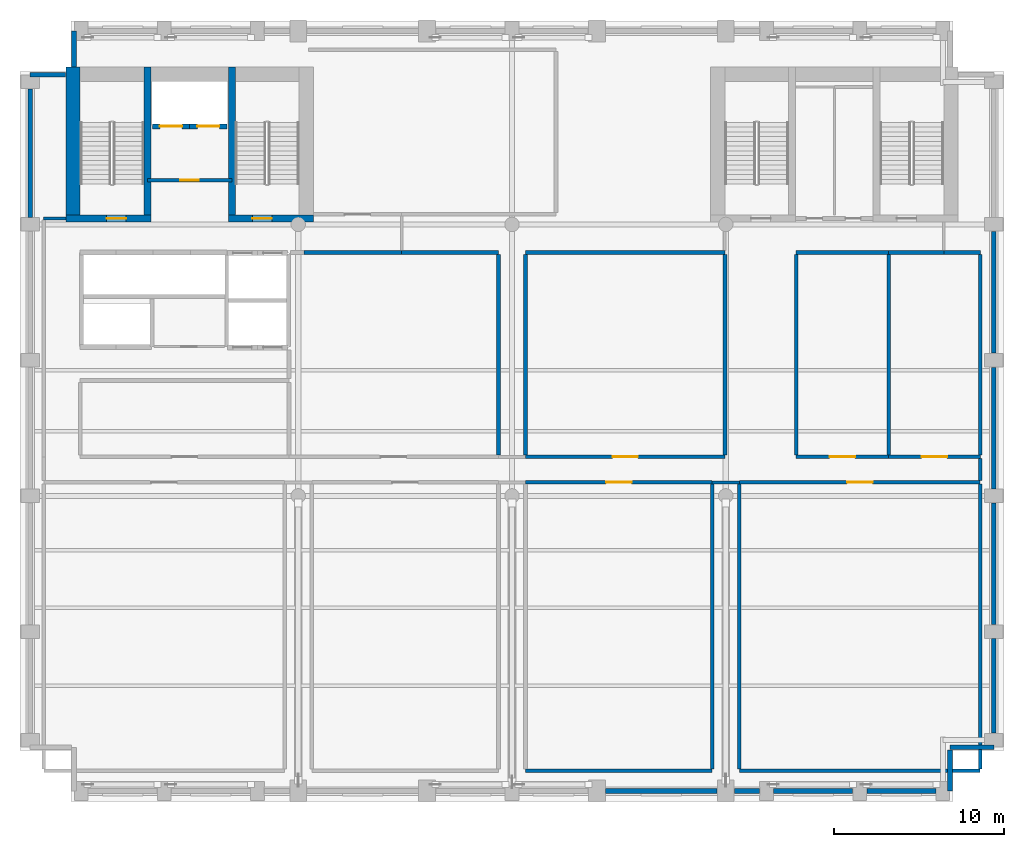
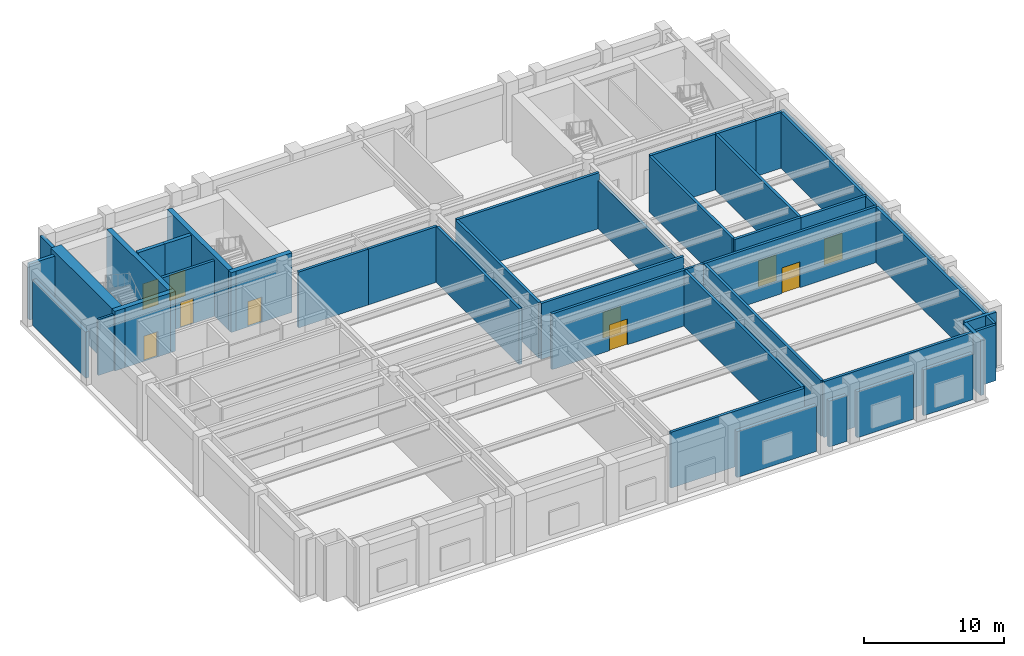
# One storey, part 6 of 11: 46 walls, 10 doors, 10 openings.
"""IFC4 building model written with IfcOpenShell, lengths in metres."""

from ifc_helpers import new_model, si_unit, direction, frame, frame_2d, origin, place, context, subcontext, project, spatial, rectangle, extrude, material, layer, layer_set, type_object, element, fill, save


model = new_model("IFC4")

# Units and contexts
model_context = context("Model", 3, precision=1e-05, world=origin(), true_north=direction((0.0, 1.0)))
body_context = subcontext(model_context, "Body", "Model", "MODEL_VIEW")
ifc_project = project(units=[si_unit("LENGTHUNIT", "METRE"), si_unit("AREAUNIT", "SQUARE_METRE"), si_unit("VOLUMEUNIT", "CUBIC_METRE"), si_unit("PLANEANGLEUNIT", "RADIAN"), si_unit("MASSUNIT", "GRAM", prefix="KILO")], contexts=[model_context])

# Site, building, storey
site_placement = place(None, origin())
site = spatial("IfcSite", under=ifc_project, at=site_placement, CompositionType="ELEMENT")
building_placement = place(site_placement, origin())
building = spatial("IfcBuilding", under=site, at=building_placement, Name="Sulina Concourse Tower", CompositionType="ELEMENT")
storey_placement = place(building_placement, frame((0.0, 0.0, 160.60009765625)))
storey = spatial("IfcBuildingStorey", under=building, at=storey_placement, Name="L39", CompositionType="ELEMENT", Elevation=160.60009765625)

# Wall, opening, door
ifc_material_1 = material(Name="Concrete C50/60", Category="concrete")
ifc_layer_1 = layer(ifc_material_1, 0.300048828125)
ifc_layer_set_1 = layer_set([ifc_layer_1], Name="Concrete C50/60")
wall_type_1 = type_object("IfcWallType", Name="Core Lift Hoistway Wall 300mm", PredefinedType="SOLIDWALL", material=ifc_layer_set_1)
wall_1_placement = place(storey_placement, frame((10.0, 39.780029296875, 0.0), z_axis=(0.0, 0.0, 1.0), x_axis=(-1.0, 0.0, 0.0)))
wall_1 = element("IfcWall", 1, at=wall_1_placement, inside=storey, type_object=wall_type_1, Name="L39 hoistway enclosure wall FFL-1", PredefinedType="SOLIDWALL", context=body_context, shape_type="SweptSolid", body=[
    extrude(rectangle(XDim=2.199951171875, YDim=0.300048828125, at=frame_2d((1.10009765625, 0.0))), origin(), (0.0, 0.0, 1.0), 5.199951171875),
])
opening_1_placement = place(wall_1_placement, frame((0.449951171875, 0.0, 0.0)))
opening_1 = element("IfcOpeningElement", 2, at=opening_1_placement, cuts=wall_1, Name="Opening LD-02", PredefinedType="OPENING", context=body_context, shape_type="SweptSolid", body=[
    extrude(rectangle(XDim=1.300048828125, YDim=2.25, at=frame_2d((0.64990234375, 1.125))), frame((0.0, 0.159912109375, 0.0), z_axis=(0.0, -1.0, 0.0), x_axis=(1.0, 0.0, 0.0)), (0.0, 0.0, 1.0), 0.320068359375),
])
ifc_material_2 = material(Name="Stainless steel lift landing door", Category="steel")
ifc_layer_2 = layer(ifc_material_2, 0.050048828125)
ifc_layer_set_2 = layer_set([ifc_layer_2], Name="Stainless steel lift landing door")
door_type_1 = type_object("IfcDoorType", Name="Firefighting Lift Sliding Landing Door 1300x2250", OperationType="SLIDING_TO_RIGHT", PredefinedType="DOOR", material=ifc_layer_set_2)
door_1_placement = place(opening_1_placement, origin())
door_1 = element("IfcDoor", 3, at=door_1_placement, inside=storey, type_object=door_type_1, Name="L39 lift landing sliding door FFL-1", OperationType="SLIDING_TO_LEFT", OverallHeight=2.25, OverallWidth=1.300048828125, PredefinedType="DOOR", context=body_context, shape_type="SweptSolid", body=[
    extrude(rectangle(XDim=1.300048828125, YDim=2.25, at=frame_2d((0.64990234375, 1.125))), frame((0.0, 0.02490234375, 0.0), z_axis=(0.0, -1.0, 0.0), x_axis=(1.0, 0.0, 0.0)), (0.0, 0.0, 1.0), 0.050048828125),
])
fill(opening_1, door_1)

wall_2_placement = place(storey_placement, frame((12.199951171875, 39.780029296875, 0.0), z_axis=(0.0, 0.0, 1.0), x_axis=(-1.0, 0.0, 0.0)))
wall_2 = element("IfcWall", 4, at=wall_2_placement, inside=storey, type_object=wall_type_1, Name="L39 hoistway enclosure wall FFL-2", PredefinedType="SOLIDWALL", context=body_context, shape_type="SweptSolid", body=[
    extrude(rectangle(XDim=2.199951171875, YDim=0.300048828125, at=frame_2d((1.10009765625, 0.0))), origin(), (0.0, 0.0, 1.0), 5.199951171875),
])
opening_2_placement = place(wall_2_placement, frame((0.449951171875, 0.0, 0.0)))
opening_2 = element("IfcOpeningElement", 5, at=opening_2_placement, cuts=wall_2, Name="Opening LD-02", PredefinedType="OPENING", context=body_context, shape_type="SweptSolid", body=[
    extrude(rectangle(XDim=1.300048828125, YDim=2.25, at=frame_2d((0.64990234375, 1.125))), frame((0.0, 0.159912109375, 0.0), z_axis=(0.0, -1.0, 0.0), x_axis=(1.0, 0.0, 0.0)), (0.0, 0.0, 1.0), 0.320068359375),
])
door_2_placement = place(opening_2_placement, origin())
door_2 = element("IfcDoor", 6, at=door_2_placement, inside=storey, type_object=door_type_1, Name="L39 lift landing sliding door FFL-2", OperationType="SLIDING_TO_RIGHT", OverallHeight=2.25, OverallWidth=1.300048828125, PredefinedType="DOOR", context=body_context, shape_type="SweptSolid", body=[
    extrude(rectangle(XDim=1.300048828125, YDim=2.25, at=frame_2d((0.64990234375, 1.125))), frame((0.0, 0.02490234375, 0.0), z_axis=(0.0, -1.0, 0.0), x_axis=(1.0, 0.0, 0.0)), (0.0, 0.0, 1.0), 0.050048828125),
])
fill(opening_2, door_2)

ifc_material_3 = material(Name="Gypsum board on steel stud", Category="steel")
ifc_layer_3 = layer(ifc_material_3, 0.219970703125)
ifc_layer_set_3 = layer_set([ifc_layer_3], Name="Gypsum board on steel stud")
wall_type_2 = type_object("IfcWallType", Name="Fire-Rated Lobby & Compartment Wall 220mm", PredefinedType="PARTITIONING", material=ifc_layer_set_3)
wall_3_placement = place(storey_placement, frame((7.510009765625, 36.60009765625, 0.0), z_axis=(0.0, 0.0, 1.0), x_axis=(1.0, 0.0, 0.0)))
wall_3 = element("IfcWall", 7, at=wall_3_placement, inside=storey, type_object=wall_type_2, Name="L39 firefighting lobby south fire wall", PredefinedType="PARTITIONING", context=body_context, shape_type="SweptSolid", body=[
    extrude(rectangle(XDim=4.97998046875, YDim=0.219970703125, at=frame_2d((2.489990234375, 0.0))), origin(), (0.0, 0.0, 1.0), 4.85986328125),
])
opening_3_placement = place(wall_3_placement, frame((1.93994140625, 0.0, 0.0)))
opening_3 = element("IfcOpeningElement", 8, at=opening_3_placement, cuts=wall_3, Name="Opening DR-47", PredefinedType="OPENING", context=body_context, shape_type="SweptSolid", body=[
    extrude(rectangle(XDim=1.10009765625, YDim=2.199951171875, at=frame_2d((0.550048828125, 1.10009765625))), frame((0.0, 0.119873046875, 0.0), z_axis=(0.0, -1.0, 0.0), x_axis=(1.0, 0.0, 0.0)), (0.0, 0.0, 1.0), 0.239990234375),
])
ifc_material_4 = material(Name="Galvanised steel acoustic fire leaf", Category="steel")
ifc_layer_4 = layer(ifc_material_4, 0.054931640625)
ifc_layer_set_4 = layer_set([ifc_layer_4], Name="Galvanised steel acoustic fire leaf")
door_type_2 = type_object("IfcDoorType", Name="Firefighting Lobby Fire Door 1100x2200", OperationType="NOTDEFINED", PredefinedType="DOOR", material=ifc_layer_set_4)
door_3_placement = place(opening_3_placement, origin())
door_3 = element("IfcDoor", 9, at=door_3_placement, inside=storey, type_object=door_type_2, Name="L39 firefighting lobby fire door", OperationType="SINGLE_SWING_RIGHT", OverallHeight=2.199951171875, OverallWidth=1.10009765625, PredefinedType="DOOR", context=body_context, shape_type="SweptSolid", body=[
    extrude(rectangle(XDim=1.10009765625, YDim=2.199951171875, at=frame_2d((0.550048828125, 1.10009765625))), frame((0.0, 0.02490234375, 0.0), z_axis=(0.0, -1.0, 0.0), x_axis=(1.0, 0.0, 0.0)), (0.0, 0.0, 1.0), 0.050048828125),
])
fill(opening_3, door_3)

# Walls
wall_4_placement = place(storey_placement, frame((29.800048828125, 1.800048828125, 0.0), z_axis=(0.0, 0.0, 1.0), x_axis=(1.0, 0.0, 0.0)))
element("IfcWall", 10, at=wall_4_placement, inside=storey, type_object=wall_type_2, Name="L39 interior partition 003", PredefinedType="PARTITIONING", context=body_context, shape_type="SweptSolid", body=[
    extrude(rectangle(XDim=11.0, YDim=0.219970703125, at=frame_2d((5.5, 0.0))), origin(), (0.0, 0.0, 1.0), 4.85986328125),
])
wall_5_placement = place(storey_placement, frame((42.39990234375, 1.800048828125, 0.0), z_axis=(0.0, 0.0, 1.0), x_axis=(1.0, 0.0, 0.0)))
element("IfcWall", 11, at=wall_5_placement, inside=storey, type_object=wall_type_2, Name="L39 interior partition 004", PredefinedType="PARTITIONING", context=body_context, shape_type="SweptSolid", body=[
    extrude(rectangle(XDim=14.2001953125, YDim=0.219970703125, at=frame_2d((7.10009765625, 0.0))), origin(), (0.0, 0.0, 1.0), 4.85986328125),
])

# Wall, opening, door
wall_6_placement = place(storey_placement, frame((29.800048828125, 18.800048828125, 0.0), z_axis=(0.0, 0.0, 1.0), x_axis=(1.0, 0.0, 0.0)))
wall_6 = element("IfcWall", 12, at=wall_6_placement, inside=storey, type_object=wall_type_2, Name="L39 interior partition 009", PredefinedType="PARTITIONING", context=body_context, shape_type="SweptSolid", body=[
    extrude(rectangle(XDim=11.0, YDim=0.219970703125, at=frame_2d((5.5, 0.0))), origin(), (0.0, 0.0, 1.0), 4.85986328125),
])
opening_4_placement = place(wall_6_placement, frame((4.75, 0.0, 0.0)))
opening_4 = element("IfcOpeningElement", 13, at=opening_4_placement, cuts=wall_6, Name="Opening DR-80", PredefinedType="OPENING", context=body_context, shape_type="SweptSolid", body=[
    extrude(rectangle(XDim=1.5, YDim=2.25, at=frame_2d((0.75, 1.125))), frame((0.0, 0.119873046875, 0.0), z_axis=(0.0, -1.0, 0.0), x_axis=(1.0, 0.0, 0.0)), (0.0, 0.0, 1.0), 0.239990234375),
])
ifc_material_5 = material(Name="Galvanised steel acoustic fire leaf", Category="steel")
ifc_layer_5 = layer(ifc_material_5, 0.054931640625)
ifc_layer_set_5 = layer_set([ifc_layer_5], Name="Galvanised steel acoustic fire leaf")
door_type_3 = type_object("IfcDoorType", Name="Mechanical Plant Double Fire Door 1500x2250", OperationType="DOUBLE_DOOR_SINGLE_SWING", PredefinedType="DOOR", material=ifc_layer_set_5)
door_4_placement = place(opening_4_placement, origin())
door_4 = element("IfcDoor", 14, at=door_4_placement, inside=storey, type_object=door_type_3, Name="L39 interior door L39-AHU-RM1", OperationType="DOUBLE_DOOR_SINGLE_SWING", OverallHeight=2.25, OverallWidth=1.5, PredefinedType="DOOR", context=body_context, shape_type="SweptSolid", body=[
    extrude(rectangle(XDim=1.5, YDim=2.25, at=frame_2d((0.75, 1.125))), frame((0.0, 0.02490234375, 0.0), z_axis=(0.0, -1.0, 0.0), x_axis=(1.0, 0.0, 0.0)), (0.0, 0.0, 1.0), 0.050048828125),
])
fill(opening_4, door_4)

wall_7_placement = place(storey_placement, frame((42.39990234375, 18.800048828125, 0.0), z_axis=(0.0, 0.0, 1.0), x_axis=(1.0, 0.0, 0.0)))
wall_7 = element("IfcWall", 15, at=wall_7_placement, inside=storey, type_object=wall_type_2, Name="L39 interior partition 011", PredefinedType="PARTITIONING", context=body_context, shape_type="SweptSolid", body=[
    extrude(rectangle(XDim=14.2001953125, YDim=0.219970703125, at=frame_2d((7.10009765625, 0.0))), origin(), (0.0, 0.0, 1.0), 4.85986328125),
])
opening_5_placement = place(wall_7_placement, frame((6.35009765625, 0.0, 0.0)))
opening_5 = element("IfcOpeningElement", 16, at=opening_5_placement, cuts=wall_7, Name="Opening DR-80", PredefinedType="OPENING", context=body_context, shape_type="SweptSolid", body=[
    extrude(rectangle(XDim=1.5, YDim=2.25, at=frame_2d((0.75, 1.125))), frame((0.0, 0.119873046875, 0.0), z_axis=(0.0, -1.0, 0.0), x_axis=(1.0, 0.0, 0.0)), (0.0, 0.0, 1.0), 0.239990234375),
])
door_5_placement = place(opening_5_placement, origin())
door_5 = element("IfcDoor", 17, at=door_5_placement, inside=storey, type_object=door_type_3, Name="L39 interior door L39-AHU-RM2", OperationType="DOUBLE_DOOR_SINGLE_SWING", OverallHeight=2.25, OverallWidth=1.5, PredefinedType="DOOR", context=body_context, shape_type="SweptSolid", body=[
    extrude(rectangle(XDim=1.5, YDim=2.25, at=frame_2d((0.75, 1.125))), frame((0.0, 0.02490234375, 0.0), z_axis=(0.0, -1.0, 0.0), x_axis=(1.0, 0.0, 0.0)), (0.0, 0.0, 1.0), 0.050048828125),
])
fill(opening_5, door_5)

wall_8_placement = place(storey_placement, frame((29.800048828125, 20.300048828125, 0.0), z_axis=(0.0, 0.0, 1.0), x_axis=(1.0, 0.0, 0.0)))
wall_8 = element("IfcWall", 18, at=wall_8_placement, inside=storey, type_object=wall_type_2, Name="L39 interior partition 015", PredefinedType="PARTITIONING", context=body_context, shape_type="SweptSolid", body=[
    extrude(rectangle(XDim=11.75, YDim=0.219970703125, at=frame_2d((5.875, 0.0))), origin(), (0.0, 0.0, 1.0), 4.85986328125),
])
opening_6_placement = place(wall_8_placement, frame((5.125, 0.0, 0.0)))
opening_6 = element("IfcOpeningElement", 19, at=opening_6_placement, cuts=wall_8, Name="Opening DR-80", PredefinedType="OPENING", context=body_context, shape_type="SweptSolid", body=[
    extrude(rectangle(XDim=1.5, YDim=2.25, at=frame_2d((0.75, 1.125))), frame((0.0, 0.119873046875, 0.0), z_axis=(0.0, -1.0, 0.0), x_axis=(1.0, 0.0, 0.0)), (0.0, 0.0, 1.0), 0.239990234375),
])
door_6_placement = place(opening_6_placement, origin())
door_6 = element("IfcDoor", 20, at=door_6_placement, inside=storey, type_object=door_type_3, Name="L39 interior door L39-SWG-RM2", OperationType="DOUBLE_DOOR_SINGLE_SWING", OverallHeight=2.25, OverallWidth=1.5, PredefinedType="DOOR", context=body_context, shape_type="SweptSolid", body=[
    extrude(rectangle(XDim=1.5, YDim=2.25, at=frame_2d((0.75, 1.125))), frame((0.0, 0.02490234375, 0.0), z_axis=(0.0, -1.0, 0.0), x_axis=(1.0, 0.0, 0.0)), (0.0, 0.0, 1.0), 0.050048828125),
])
fill(opening_6, door_6)

wall_9_placement = place(storey_placement, frame((45.75, 20.300048828125, 0.0), z_axis=(0.0, 0.0, 1.0), x_axis=(1.0, 0.0, 0.0)))
wall_9 = element("IfcWall", 21, at=wall_9_placement, inside=storey, type_object=wall_type_2, Name="L39 interior partition 016", PredefinedType="PARTITIONING", context=body_context, shape_type="SweptSolid", body=[
    extrude(rectangle(XDim=5.449951171875, YDim=0.219970703125, at=frame_2d((2.72509765625, 0.0))), origin(), (0.0, 0.0, 1.0), 4.85986328125),
])
opening_7_placement = place(wall_9_placement, frame((1.97509765625, 0.0, 0.0)))
opening_7 = element("IfcOpeningElement", 22, at=opening_7_placement, cuts=wall_9, Name="Opening DR-80", PredefinedType="OPENING", context=body_context, shape_type="SweptSolid", body=[
    extrude(rectangle(XDim=1.5, YDim=2.25, at=frame_2d((0.75, 1.125))), frame((0.0, 0.119873046875, 0.0), z_axis=(0.0, -1.0, 0.0), x_axis=(1.0, 0.0, 0.0)), (0.0, 0.0, 1.0), 0.239990234375),
])
door_7_placement = place(opening_7_placement, origin())
door_7 = element("IfcDoor", 23, at=door_7_placement, inside=storey, type_object=door_type_3, Name="L39 interior door L39-PMP-RM1", OperationType="DOUBLE_DOOR_SINGLE_SWING", OverallHeight=2.25, OverallWidth=1.5, PredefinedType="DOOR", context=body_context, shape_type="SweptSolid", body=[
    extrude(rectangle(XDim=1.5, YDim=2.25, at=frame_2d((0.75, 1.125))), frame((0.0, 0.02490234375, 0.0), z_axis=(0.0, -1.0, 0.0), x_axis=(1.0, 0.0, 0.0)), (0.0, 0.0, 1.0), 0.050048828125),
])
fill(opening_7, door_7)

wall_10_placement = place(storey_placement, frame((51.199951171875, 20.300048828125, 0.0), z_axis=(0.0, 0.0, 1.0), x_axis=(1.0, 0.0, 0.0)))
wall_10 = element("IfcWall", 24, at=wall_10_placement, inside=storey, type_object=wall_type_2, Name="L39 interior partition 017", PredefinedType="PARTITIONING", context=body_context, shape_type="SweptSolid", body=[
    extrude(rectangle(XDim=5.400146484375, YDim=0.219970703125, at=frame_2d((2.7001953125, 0.0))), origin(), (0.0, 0.0, 1.0), 4.85986328125),
])
opening_8_placement = place(wall_10_placement, frame((1.949951171875, 0.0, 0.0)))
opening_8 = element("IfcOpeningElement", 25, at=opening_8_placement, cuts=wall_10, Name="Opening DR-80", PredefinedType="OPENING", context=body_context, shape_type="SweptSolid", body=[
    extrude(rectangle(XDim=1.5, YDim=2.25, at=frame_2d((0.75, 1.125))), frame((0.0, 0.119873046875, 0.0), z_axis=(0.0, -1.0, 0.0), x_axis=(1.0, 0.0, 0.0)), (0.0, 0.0, 1.0), 0.239990234375),
])
door_8_placement = place(opening_8_placement, origin())
door_8 = element("IfcDoor", 26, at=door_8_placement, inside=storey, type_object=door_type_3, Name="L39 interior door L39-PMP-RM2", OperationType="DOUBLE_DOOR_SINGLE_SWING", OverallHeight=2.25, OverallWidth=1.5, PredefinedType="DOOR", context=body_context, shape_type="SweptSolid", body=[
    extrude(rectangle(XDim=1.5, YDim=2.25, at=frame_2d((0.75, 1.125))), frame((0.0, 0.02490234375, 0.0), z_axis=(0.0, -1.0, 0.0), x_axis=(1.0, 0.0, 0.0)), (0.0, 0.0, 1.0), 0.050048828125),
])
fill(opening_8, door_8)

# Walls
wall_11_placement = place(storey_placement, frame((16.75, 32.35009765625, 0.0), z_axis=(0.0, 0.0, 1.0), x_axis=(1.0, 0.0, 0.0)))
element("IfcWall", 27, at=wall_11_placement, inside=storey, type_object=wall_type_2, Name="L39 interior partition 021", PredefinedType="PARTITIONING", context=body_context, shape_type="SweptSolid", body=[
    extrude(rectangle(XDim=5.75, YDim=0.219970703125, at=frame_2d((2.875, 0.0))), origin(), (0.0, 0.0, 1.0), 4.85986328125),
])
wall_12_placement = place(storey_placement, frame((22.5, 32.35009765625, 0.0), z_axis=(0.0, 0.0, 1.0), x_axis=(1.0, 0.0, 0.0)))
element("IfcWall", 28, at=wall_12_placement, inside=storey, type_object=wall_type_2, Name="L39 interior partition 022", PredefinedType="PARTITIONING", context=body_context, shape_type="SweptSolid", body=[
    extrude(rectangle(XDim=5.699951171875, YDim=0.219970703125, at=frame_2d((2.85009765625, 0.0))), origin(), (0.0, 0.0, 1.0), 4.85986328125),
])
wall_13_placement = place(storey_placement, frame((29.800048828125, 32.35009765625, 0.0), z_axis=(0.0, 0.0, 1.0), x_axis=(1.0, 0.0, 0.0)))
element("IfcWall", 29, at=wall_13_placement, inside=storey, type_object=wall_type_2, Name="L39 interior partition 023", PredefinedType="PARTITIONING", context=body_context, shape_type="SweptSolid", body=[
    extrude(rectangle(XDim=11.75, YDim=0.219970703125, at=frame_2d((5.875, 0.0))), origin(), (0.0, 0.0, 1.0), 4.85986328125),
])
wall_14_placement = place(storey_placement, frame((45.75, 32.35009765625, 0.0), z_axis=(0.0, 0.0, 1.0), x_axis=(1.0, 0.0, 0.0)))
element("IfcWall", 30, at=wall_14_placement, inside=storey, type_object=wall_type_2, Name="L39 interior partition 024", PredefinedType="PARTITIONING", context=body_context, shape_type="SweptSolid", body=[
    extrude(rectangle(XDim=5.449951171875, YDim=0.219970703125, at=frame_2d((2.72509765625, 0.0))), origin(), (0.0, 0.0, 1.0), 4.85986328125),
])
wall_15_placement = place(storey_placement, frame((51.199951171875, 32.35009765625, 0.0), z_axis=(0.0, 0.0, 1.0), x_axis=(1.0, 0.0, 0.0)))
element("IfcWall", 31, at=wall_15_placement, inside=storey, type_object=wall_type_2, Name="L39 interior partition 025", PredefinedType="PARTITIONING", context=body_context, shape_type="SweptSolid", body=[
    extrude(rectangle(XDim=3.25, YDim=0.219970703125, at=frame_2d((1.625, 0.0))), origin(), (0.0, 0.0, 1.0), 4.85986328125),
])
wall_16_placement = place(storey_placement, frame((54.449951171875, 32.35009765625, 0.0), z_axis=(0.0, 0.0, 1.0), x_axis=(1.0, 0.0, 0.0)))
element("IfcWall", 32, at=wall_16_placement, inside=storey, type_object=wall_type_2, Name="L39 interior partition 026", PredefinedType="PARTITIONING", context=body_context, shape_type="SweptSolid", body=[
    extrude(rectangle(XDim=2.150146484375, YDim=0.219970703125, at=frame_2d((1.0751953125, 0.0))), origin(), (0.0, 0.0, 1.0), 4.85986328125),
])
for number, where, z_axis, x_axis, name in (
    (33, (28.199951171875, 20.409912109375, 0.0), (0.0, 0.0, 1.0), (0.0, 1.0, 0.0), "L39 interior partition 043"),
    (34, (29.800048828125, 20.409912109375, 0.0), (0.0, 0.0, 1.0), (0.0, 1.0, 0.0), "L39 interior partition 045"),
):
    element("IfcWall", number, at=place(storey_placement, frame(where, z_axis=z_axis, x_axis=x_axis)), inside=storey, type_object=wall_type_2, Name=name, PredefinedType="PARTITIONING", context=body_context, shape_type="SweptSolid", body=[
        extrude(rectangle(XDim=11.830078125, YDim=0.219970703125, at=frame_2d((5.9150390625, 0.0))), origin(), (0.0, 0.0, 1.0), 4.85986328125),
    ])
wall_17_placement = place(storey_placement, frame((40.800048828125, 1.909912109375, 0.0), z_axis=(0.0, 0.0, 1.0), x_axis=(0.0, 1.0, 0.0)))
element("IfcWall", 35, at=wall_17_placement, inside=storey, type_object=wall_type_2, Name="L39 interior partition 047", PredefinedType="PARTITIONING", context=body_context, shape_type="SweptSolid", body=[
    extrude(rectangle(XDim=16.780029296875, YDim=0.219970703125, at=frame_2d((8.39013671875, 0.0))), origin(), (0.0, 0.0, 1.0), 4.85986328125),
])
wall_18_placement = place(storey_placement, frame((41.550048828125, 20.409912109375, 0.0), z_axis=(0.0, 0.0, 1.0), x_axis=(0.0, 1.0, 0.0)))
element("IfcWall", 36, at=wall_18_placement, inside=storey, type_object=wall_type_2, Name="L39 interior partition 048", PredefinedType="PARTITIONING", context=body_context, shape_type="SweptSolid", body=[
    extrude(rectangle(XDim=11.830078125, YDim=0.219970703125, at=frame_2d((5.9150390625, 0.0))), origin(), (0.0, 0.0, 1.0), 4.204833984375),
])
wall_19_placement = place(storey_placement, frame((42.39990234375, 1.909912109375, 0.0), z_axis=(0.0, 0.0, 1.0), x_axis=(0.0, 1.0, 0.0)))
element("IfcWall", 37, at=wall_19_placement, inside=storey, type_object=wall_type_2, Name="L39 interior partition 050", PredefinedType="PARTITIONING", context=body_context, shape_type="SweptSolid", body=[
    extrude(rectangle(XDim=16.780029296875, YDim=0.219970703125, at=frame_2d((8.39013671875, 0.0))), origin(), (0.0, 0.0, 1.0), 4.85986328125),
])
for number, where, z_axis, x_axis, name in (
    (38, (45.75, 20.409912109375, 0.0), (0.0, 0.0, 1.0), (0.0, 1.0, 0.0), "L39 interior partition 051"),
    (39, (51.199951171875, 20.409912109375, 0.0), (0.0, 0.0, 1.0), (0.0, 1.0, 0.0), "L39 interior partition 053"),
):
    element("IfcWall", number, at=place(storey_placement, frame(where, z_axis=z_axis, x_axis=x_axis)), inside=storey, type_object=wall_type_2, Name=name, PredefinedType="PARTITIONING", context=body_context, shape_type="SweptSolid", body=[
        extrude(rectangle(XDim=11.830078125, YDim=0.219970703125, at=frame_2d((5.9150390625, 0.0))), origin(), (0.0, 0.0, 1.0), 4.85986328125),
    ])
wall_20_placement = place(storey_placement, frame((56.60009765625, 1.909912109375, 0.0), z_axis=(0.0, 0.0, 1.0), x_axis=(0.0, 1.0, 0.0)))
element("IfcWall", 40, at=wall_20_placement, inside=storey, type_object=wall_type_2, Name="L39 interior partition 055", PredefinedType="PARTITIONING", context=body_context, shape_type="SweptSolid", body=[
    extrude(rectangle(XDim=16.780029296875, YDim=0.219970703125, at=frame_2d((8.39013671875, 0.0))), origin(), (0.0, 0.0, 1.0), 4.85986328125),
])
wall_21_placement = place(storey_placement, frame((56.60009765625, 20.409912109375, 0.0), z_axis=(0.0, 0.0, 1.0), x_axis=(0.0, 1.0, 0.0)))
element("IfcWall", 41, at=wall_21_placement, inside=storey, type_object=wall_type_2, Name="L39 interior partition 057", PredefinedType="PARTITIONING", context=body_context, shape_type="SweptSolid", body=[
    extrude(rectangle(XDim=11.830078125, YDim=0.219970703125, at=frame_2d((5.9150390625, 0.0))), origin(), (0.0, 0.0, 1.0), 4.85986328125),
])
ifc_material_6 = material(Name="Gypsum board on steel stud", Category="steel")
ifc_layer_6 = layer(ifc_material_6, 0.179931640625)
ifc_layer_set_6 = layer_set([ifc_layer_6], Name="Gypsum board on steel stud")
wall_type_3 = type_object("IfcWallType", Name="Protected Corridor & Riser Partition 180mm", PredefinedType="PARTITIONING", material=ifc_layer_set_6)
wall_22_placement = place(storey_placement, frame((40.800048828125, 18.800048828125, 0.0), z_axis=(0.0, 0.0, 1.0), x_axis=(1.0, 0.0, 0.0)))
element("IfcWall", 42, at=wall_22_placement, inside=storey, type_object=wall_type_3, Name="L39 interior partition 010", PredefinedType="PARTITIONING", context=body_context, shape_type="SweptSolid", body=[
    extrude(rectangle(XDim=1.599853515625, YDim=0.179931640625, at=frame_2d((0.7998046875, 0.0))), origin(), (0.0, 0.0, 1.0), 4.85986328125),
])
wall_23_placement = place(storey_placement, frame((1.39990234375, 34.35009765625, 0.0), z_axis=(0.0, 0.0, 1.0), x_axis=(1.0, 0.0, 0.0)))
element("IfcWall", 43, at=wall_23_placement, inside=storey, type_object=wall_type_3, Name="L39 interior partition 027", PredefinedType="PARTITIONING", context=body_context, shape_type="SweptSolid", body=[
    extrude(rectangle(XDim=1.300048828125, YDim=0.179931640625, at=frame_2d((0.64990234375, 0.0))), origin(), (0.0, 0.0, 1.0), 4.85986328125),
])
wall_24_placement = place(storey_placement, frame((56.60009765625, 18.909912109375, 0.0), z_axis=(0.0, 0.0, 1.0), x_axis=(0.0, 1.0, 0.0)))
element("IfcWall", 44, at=wall_24_placement, inside=storey, type_object=wall_type_3, Name="L39 interior partition 056", PredefinedType="PARTITIONING", context=body_context, shape_type="SweptSolid", body=[
    extrude(rectangle(XDim=1.280029296875, YDim=0.179931640625, at=frame_2d((0.64013671875, 0.0))), origin(), (0.0, 0.0, 1.0), 4.85986328125),
])

# Wall, opening, door
ifc_material_7 = material(Name="Concrete C60/75", Category="concrete")
ifc_layer_7 = layer(ifc_material_7, 0.39990234375)
ifc_layer_set_7 = layer_set([ifc_layer_7], Name="Concrete C60/75")
wall_type_4 = type_object("IfcWallType", Name="Protected Stair Core Shear Wall 400mm", PredefinedType="SHEAR", material=ifc_layer_set_7)
wall_25_placement = place(storey_placement, frame((2.699951171875, 34.35009765625, 0.0), z_axis=(0.0, 0.0, 1.0), x_axis=(1.0, 0.0, 0.0)))
wall_25 = element("IfcWall", 45, at=wall_25_placement, inside=storey, type_object=wall_type_4, Name="L39 west core shear wall CW-WS1", PredefinedType="SHEAR", context=body_context, shape_type="SweptSolid", body=[
    extrude(rectangle(XDim=5.010009765625, YDim=0.39990234375, at=frame_2d((2.5048828125, 0.0))), origin(), (0.0, 0.0, 1.0), 5.199951171875),
])
opening_9_placement = place(wall_25_placement, frame((2.39990234375, 0.0, 0.0)))
opening_9 = element("IfcOpeningElement", 46, at=opening_9_placement, cuts=wall_25, Name="Opening DR-60", PredefinedType="OPENING", context=body_context, shape_type="SweptSolid", body=[
    extrude(rectangle(XDim=1.14990234375, YDim=2.199951171875, at=frame_2d((0.574951171875, 1.10009765625))), frame((0.0, 0.2099609375, 0.0), z_axis=(0.0, -1.0, 0.0), x_axis=(1.0, 0.0, 0.0)), (0.0, 0.0, 1.0), 0.419921875),
])
ifc_material_8 = material(Name="Galvanised steel acoustic fire leaf", Category="steel")
ifc_layer_8 = layer(ifc_material_8, 0.054931640625)
ifc_layer_set_8 = layer_set([ifc_layer_8], Name="Galvanised steel acoustic fire leaf")
door_type_4 = type_object("IfcDoorType", Name="Protected Exit Stair Fire Door 1150x2200", OperationType="NOTDEFINED", PredefinedType="DOOR", material=ifc_layer_set_8)
door_9_placement = place(opening_9_placement, origin())
door_9 = element("IfcDoor", 47, at=door_9_placement, inside=storey, type_object=door_type_4, Name="L39 stair ST-1 lobby fire door", OperationType="SINGLE_SWING_RIGHT", OverallHeight=2.199951171875, OverallWidth=1.14990234375, PredefinedType="DOOR", context=body_context, shape_type="SweptSolid", body=[
    extrude(rectangle(XDim=1.14990234375, YDim=2.199951171875, at=frame_2d((0.574951171875, 1.10009765625))), frame((0.0, 0.02490234375, 0.0), z_axis=(0.0, -1.0, 0.0), x_axis=(1.0, 0.0, 0.0)), (0.0, 0.0, 1.0), 0.050048828125),
])
fill(opening_9, door_9)

wall_26_placement = place(storey_placement, frame((12.2900390625, 34.35009765625, 0.0), z_axis=(0.0, 0.0, 1.0), x_axis=(1.0, 0.0, 0.0)))
wall_26 = element("IfcWall", 48, at=wall_26_placement, inside=storey, type_object=wall_type_4, Name="L39 west core shear wall CW-WS2", PredefinedType="SHEAR", context=body_context, shape_type="SweptSolid", body=[
    extrude(rectangle(XDim=5.010009765625, YDim=0.39990234375, at=frame_2d((2.5048828125, 0.0))), origin(), (0.0, 0.0, 1.0), 5.199951171875),
])
opening_10_placement = place(wall_26_placement, frame((1.39990234375, 0.0, 0.0)))
opening_10 = element("IfcOpeningElement", 49, at=opening_10_placement, cuts=wall_26, Name="Opening DR-60", PredefinedType="OPENING", context=body_context, shape_type="SweptSolid", body=[
    extrude(rectangle(XDim=1.14990234375, YDim=2.199951171875, at=frame_2d((0.574951171875, 1.10009765625))), frame((0.0, 0.2099609375, 0.0), z_axis=(0.0, -1.0, 0.0), x_axis=(1.0, 0.0, 0.0)), (0.0, 0.0, 1.0), 0.419921875),
])
door_10_placement = place(opening_10_placement, origin())
door_10 = element("IfcDoor", 50, at=door_10_placement, inside=storey, type_object=door_type_4, Name="L39 stair ST-2 lobby fire door", OperationType="SINGLE_SWING_LEFT", OverallHeight=2.199951171875, OverallWidth=1.14990234375, PredefinedType="DOOR", context=body_context, shape_type="SweptSolid", body=[
    extrude(rectangle(XDim=1.14990234375, YDim=2.199951171875, at=frame_2d((0.574951171875, 1.10009765625))), frame((0.0, 0.02490234375, 0.0), z_axis=(0.0, -1.0, 0.0), x_axis=(1.0, 0.0, 0.0)), (0.0, 0.0, 1.0), 0.050048828125),
])
fill(opening_10, door_10)

# Walls
for number, where, z_axis, x_axis, name in (
    (51, (7.510009765625, 34.14990234375, 0.0), (0.0, 0.0, 1.0), (0.0, 1.0, 0.0), "L39 west core shear wall SW-ST1"),
    (52, (12.489990234375, 34.14990234375, 0.0), (0.0, 0.0, 1.0), (0.0, 1.0, 0.0), "L39 west core shear wall SW-ST2"),
):
    element("IfcWall", number, at=place(storey_placement, frame(where, z_axis=z_axis, x_axis=x_axis)), inside=storey, type_object=wall_type_4, Name=name, PredefinedType="SHEAR", context=body_context, shape_type="SweptSolid", body=[
        extrude(rectangle(XDim=9.130126953125, YDim=0.39990234375, at=frame_2d((4.56494140625, 0.0))), origin(), (0.0, 0.0, 1.0), 5.199951171875),
    ])
ifc_material_9 = material(Name="Concrete C60/75", Category="concrete")
ifc_layer_9 = layer(ifc_material_9, 0.85009765625)
ifc_layer_set_9 = layer_set([ifc_layer_9], Name="Concrete C60/75")
wall_type_5 = type_object("IfcWallType", Name="Rear Core Shear Wall 850mm", PredefinedType="SHEAR", material=ifc_layer_set_9)
wall_27_placement = place(storey_placement, frame((3.125, 34.14990234375, 0.0), z_axis=(0.0, 0.0, 1.0), x_axis=(0.0, 1.0, 0.0)))
element("IfcWall", 53, at=wall_27_placement, inside=storey, type_object=wall_type_5, Name="L39 west core shear wall CW-WW", PredefinedType="SHEAR", context=body_context, shape_type="SweptSolid", body=[
    extrude(rectangle(XDim=9.130126953125, YDim=0.85009765625, at=frame_2d((4.56494140625, 0.0))), origin(), (0.0, 0.0, 1.0), 5.199951171875),
])
ifc_material_10 = material(Name="Precast concrete C50/60", Category="concrete")
ifc_layer_10 = layer(ifc_material_10, 0.280029296875)
ifc_layer_set_10 = layer_set([ifc_layer_10], Name="Precast concrete C50/60")
wall_type_6 = type_object("IfcWallType", Name="Typical Precast Masonry-Frame Facade Wall 280mm", PredefinedType="SOLIDWALL", material=ifc_layer_set_10)
wall_28_placement = place(storey_placement, frame((41.080078125, 0.60009765625, 0.0), z_axis=(0.0, 0.0, 1.0), x_axis=(-1.0, 0.0, 0.0)))
element("IfcWall", 54, at=wall_28_placement, inside=storey, type_object=wall_type_6, Name="L39 exterior precast wall S7", PredefinedType="SOLIDWALL", context=body_context, shape_type="SweptSolid", body=[
    extrude(rectangle(XDim=6.56005859375, YDim=0.280029296875, at=frame_2d((3.280029296875, 0.0))), origin(), (0.0, 0.0, 1.0), 4.010009765625),
])
wall_29_placement = place(storey_placement, frame((43.580078125, 0.60009765625, 0.0), z_axis=(0.0, 0.0, 1.0), x_axis=(-1.0, 0.0, 0.0)))
element("IfcWall", 55, at=wall_29_placement, inside=storey, type_object=wall_type_6, Name="L39 exterior precast wall S8", PredefinedType="SOLIDWALL", context=body_context, shape_type="SweptSolid", body=[
    extrude(rectangle(XDim=1.4599609375, YDim=0.280029296875, at=frame_2d((0.72998046875, 0.0))), origin(), (0.0, 0.0, 1.0), 4.010009765625),
])
wall_30_placement = place(storey_placement, frame((49.080078125, 0.60009765625, 0.0), z_axis=(0.0, 0.0, 1.0), x_axis=(-1.0, 0.0, 0.0)))
element("IfcWall", 56, at=wall_30_placement, inside=storey, type_object=wall_type_6, Name="L39 exterior precast wall S9", PredefinedType="SOLIDWALL", context=body_context, shape_type="SweptSolid", body=[
    extrude(rectangle(XDim=4.66015625, YDim=0.280029296875, at=frame_2d((2.330078125, 0.0))), origin(), (0.0, 0.0, 1.0), 4.010009765625),
])
wall_31_placement = place(storey_placement, frame((53.97998046875, 0.60009765625, 0.0), z_axis=(0.0, 0.0, 1.0), x_axis=(-1.0, 0.0, 0.0)))
element("IfcWall", 57, at=wall_31_placement, inside=storey, type_object=wall_type_6, Name="L39 exterior precast wall S10", PredefinedType="SOLIDWALL", context=body_context, shape_type="SweptSolid", body=[
    extrude(rectangle(XDim=4.06005859375, YDim=0.280029296875, at=frame_2d((2.030029296875, 0.0))), origin(), (0.0, 0.0, 1.0), 4.010009765625),
])
wall_32_placement = place(storey_placement, frame((0.60009765625, 34.419921875, 0.0), z_axis=(0.0, 0.0, 1.0), x_axis=(0.0, 1.0, 0.0)))
element("IfcWall", 58, at=wall_32_placement, inside=storey, type_object=wall_type_6, Name="L39 exterior precast wall W5", PredefinedType="SOLIDWALL", context=body_context, shape_type="SweptSolid", body=[
    extrude(rectangle(XDim=7.56005859375, YDim=0.280029296875, at=frame_2d((3.780029296875, 0.0))), origin(), (0.0, 0.0, 1.0), 4.010009765625),
])
wall_33_placement = place(storey_placement, frame((57.39990234375, 9.580078125, 0.0), z_axis=(0.0, 0.0, 1.0), x_axis=(0.0, -1.0, 0.0)))
element("IfcWall", 59, at=wall_33_placement, inside=storey, type_object=wall_type_6, Name="L39 exterior precast wall E1", PredefinedType="SOLIDWALL", context=body_context, shape_type="SweptSolid", body=[
    extrude(rectangle(XDim=5.56005859375, YDim=0.280029296875, at=frame_2d((2.780029296875, 0.0))), origin(), (0.0, 0.0, 1.0), 4.010009765625),
])
for number, where, z_axis, x_axis, name in (
    (60, (57.39990234375, 17.580078125, 0.0), (0.0, 0.0, 1.0), (0.0, -1.0, 0.0), "L39 exterior precast wall E2"),
    (61, (57.39990234375, 25.580078125, 0.0), (0.0, 0.0, 1.0), (0.0, -1.0, 0.0), "L39 exterior precast wall E3"),
    (62, (57.39990234375, 33.580078125, 0.0), (0.0, 0.0, 1.0), (0.0, -1.0, 0.0), "L39 exterior precast wall E4"),
):
    element("IfcWall", number, at=place(storey_placement, frame(where, z_axis=z_axis, x_axis=x_axis)), inside=storey, type_object=wall_type_6, Name=name, PredefinedType="SOLIDWALL", context=body_context, shape_type="SweptSolid", body=[
        extrude(rectangle(XDim=7.16015625, YDim=0.280029296875, at=frame_2d((3.580078125, 0.0))), origin(), (0.0, 0.0, 1.0), 4.010009765625),
    ])
wall_34_placement = place(storey_placement, frame((0.60009765625, 42.820068359375, 0.0), z_axis=(0.0, 0.0, 1.0), x_axis=(1.0, 0.0, 0.0)))
element("IfcWall", 63, at=wall_34_placement, inside=storey, type_object=wall_type_6, Name="L39 exterior precast wall CNW1", PredefinedType="SOLIDWALL", context=body_context, shape_type="SweptSolid", body=[
    extrude(rectangle(XDim=2.094970703125, YDim=0.280029296875, at=frame_2d((1.04736328125, 0.0))), origin(), (0.0, 0.0, 1.0), 4.85986328125),
])
wall_35_placement = place(storey_placement, frame((3.179931640625, 43.284912109375, 0.0), z_axis=(0.0, 0.0, 1.0), x_axis=(0.0, 1.0, 0.0)))
element("IfcWall", 64, at=wall_35_placement, inside=storey, type_object=wall_type_6, Name="L39 exterior precast wall CNW2", PredefinedType="SOLIDWALL", context=body_context, shape_type="SweptSolid", body=[
    extrude(rectangle(XDim=2.114990234375, YDim=0.280029296875, at=frame_2d((1.0576171875, 0.0))), origin(), (0.0, 0.0, 1.0), 4.85986328125),
])
wall_36_placement = place(storey_placement, frame((57.39990234375, 3.179931640625, 0.0), z_axis=(0.0, 0.0, 1.0), x_axis=(-1.0, 0.0, 0.0)))
element("IfcWall", 65, at=wall_36_placement, inside=storey, type_object=wall_type_6, Name="L39 exterior precast wall CSE1", PredefinedType="SOLIDWALL", context=body_context, shape_type="SweptSolid", body=[
    extrude(rectangle(XDim=2.579833984375, YDim=0.280029296875, at=frame_2d((1.2900390625, 0.0))), origin(), (0.0, 0.0, 1.0), 4.85986328125),
])
wall_37_placement = place(storey_placement, frame((54.820068359375, 3.034912109375, 0.0), z_axis=(0.0, 0.0, 1.0), x_axis=(0.0, -1.0, 0.0)))
element("IfcWall", 66, at=wall_37_placement, inside=storey, type_object=wall_type_6, Name="L39 exterior precast wall CSE2", PredefinedType="SOLIDWALL", context=body_context, shape_type="SweptSolid", body=[
    extrude(rectangle(XDim=2.434814453125, YDim=0.280029296875, at=frame_2d((1.21728515625, 0.0))), origin(), (0.0, 0.0, 1.0), 4.85986328125),
])

save(model, "model.ifc")
